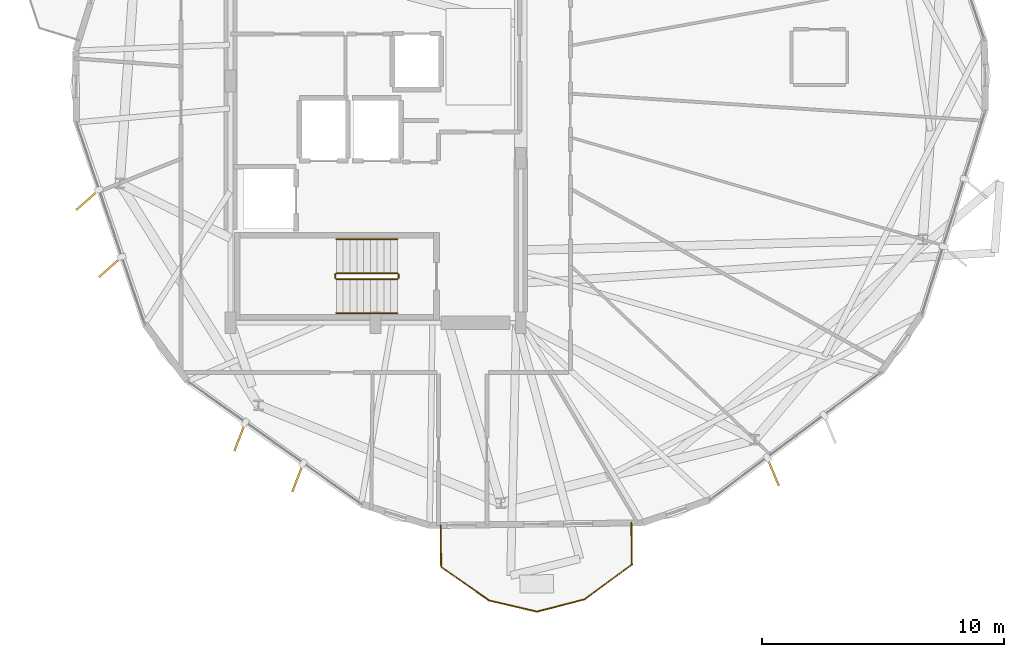
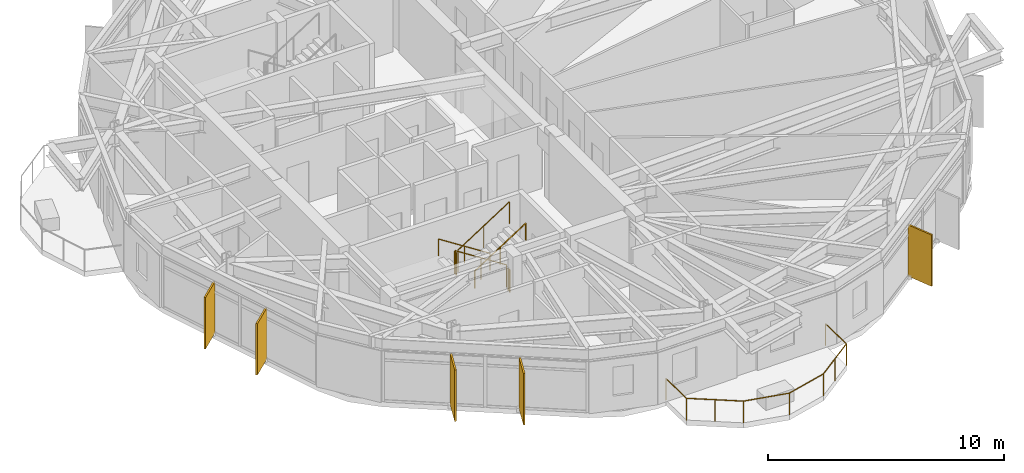
# One storey, part 25 of 27: 7 railings, 5 shading devices.
"""IFC4 building model written with IfcOpenShell, lengths in metres."""

from ifc_helpers import new_model, si_unit, direction, frame, origin, origin_2d, place, context, subcontext, project, spatial, rectangle, circle, extrude, material, layer, layer_set, type_object, element, save


model = new_model("IFC4")

# Units and contexts
model_context = context("Model", 3, precision=1e-05, world=origin(), true_north=direction((0.0, 1.0)))
body_context = subcontext(model_context, "Body", "Model", "MODEL_VIEW")
ifc_project = project(units=[si_unit("LENGTHUNIT", "METRE"), si_unit("AREAUNIT", "SQUARE_METRE"), si_unit("VOLUMEUNIT", "CUBIC_METRE"), si_unit("PLANEANGLEUNIT", "RADIAN"), si_unit("MASSUNIT", "GRAM", prefix="KILO")], contexts=[model_context])

# Site, building, storey
site_placement = place(None, origin())
site = spatial("IfcSite", under=ifc_project, at=site_placement, CompositionType="ELEMENT")
building_placement = place(site_placement, origin())
building = spatial("IfcBuilding", under=site, at=building_placement, Name="Soratama Intermodal Tower", CompositionType="ELEMENT")
storey_placement = place(building_placement, frame((0.0, 0.0, 167.800048828125)))
storey = spatial("IfcBuildingStorey", under=building, at=storey_placement, Name="L41", CompositionType="ELEMENT", Elevation=167.800048828125)

# Railings
ifc_material_1 = material(Name="Laminated glass and stainless steel balustrade", Category="steel")
railing_type_1 = type_object("IfcRailingType", Name="RL-BAL-1150", PredefinedType="BALUSTRADE", material=ifc_material_1)
railing_1_placement = place(storey_placement, frame((49.17578125, 6.721923828125, 0.0)))
element("IfcRailing", 1, at=railing_1_placement, inside=storey, type_object=railing_type_1, Name="L41 Balcony Balustrade 3", PredefinedType="BALUSTRADE", context=body_context, shape_type="SweptSolid", body=[
    extrude(circle(Radius=0.02392578125, at=origin_2d()), frame((0.0, 0.0, 1.1259765625), z_axis=(0.01263385816, -0.999920189629, 0.0), x_axis=(0.999920189629, 0.01263385816, 0.0)), (0.0, 0.0, 1.0), 1.719970703125),
    extrude(circle(Radius=0.02392578125, at=origin_2d()), frame((0.021728515625, -1.7197265625, 1.1259765625), z_axis=(-0.805182180054, -0.59302753471, 0.0), x_axis=(0.59302753471, -0.805182180054, 0.0)), (0.0, 0.0, 1.0), 2.42822265625),
    extrude(circle(Radius=0.02392578125, at=origin_2d()), frame((-1.933349609375, -3.15966796875, 1.1259765625), z_axis=(-0.968035813153, -0.250812010186, 0.0), x_axis=(0.250812010186, -0.968035813153, 0.0)), (0.0, 0.0, 1.0), 2.031494140625),
    extrude(circle(Radius=0.02392578125, at=origin_2d()), frame((-3.89990234375, -3.669189453125, 1.1259765625), z_axis=(-0.974037612376, 0.226386240034, 0.0), x_axis=(-0.226386240034, -0.974037612376, 0.0)), (0.0, 0.0, 1.0), 2.03173828125),
    extrude(circle(Radius=0.02392578125, at=origin_2d()), frame((-5.87890625, -3.209228515625, 1.1259765625), z_axis=(-0.81980310967, 0.572645493631, 0.0), x_axis=(-0.572645493631, -0.81980310967, 0.0)), (0.0, 0.0, 1.0), 2.427978515625),
    extrude(circle(Radius=0.02392578125, at=origin_2d()), frame((-7.869384765625, -1.81884765625, 1.1259765625), z_axis=(-0.012491926975, 0.999921972836, 0.0), x_axis=(-0.999921972836, -0.012491926975, 0.0)), (0.0, 0.0, 1.0), 1.719970703125),
    extrude(circle(Radius=0.02099609375, at=origin_2d()), origin(), (0.0, 0.0, 1.0), 1.101806640625),
    extrude(circle(Radius=0.02099609375, at=origin_2d()), frame((0.021728515625, -1.7197265625, 0.0)), (0.0, 0.0, 1.0), 1.101806640625),
    extrude(circle(Radius=0.02099609375, at=origin_2d()), frame((-0.955810546875, -2.439697265625, 0.0)), (0.0, 0.0, 1.0), 1.101806640625),
    extrude(circle(Radius=0.02099609375, at=origin_2d()), frame((-1.933349609375, -3.15966796875, 0.0)), (0.0, 0.0, 1.0), 1.101806640625),
    extrude(circle(Radius=0.02099609375, at=origin_2d()), frame((-3.89990234375, -3.669189453125, 0.0)), (0.0, 0.0, 1.0), 1.101806640625),
    extrude(circle(Radius=0.02099609375, at=origin_2d()), frame((-5.87890625, -3.209228515625, 0.0)), (0.0, 0.0, 1.0), 1.101806640625),
    extrude(circle(Radius=0.02099609375, at=origin_2d()), frame((-6.8740234375, -2.51416015625, 0.0)), (0.0, 0.0, 1.0), 1.101806640625),
    extrude(circle(Radius=0.02099609375, at=origin_2d()), frame((-7.869384765625, -1.81884765625, 0.0)), (0.0, 0.0, 1.0), 1.101806640625),
    extrude(circle(Radius=0.02099609375, at=origin_2d()), frame((-7.890869140625, -0.09912109375, 0.0)), (0.0, 0.0, 1.0), 1.101806640625),
])
ifc_material_2 = material(Name="Painted steel stair guardrail", Category="steel")
railing_type_2 = type_object("IfcRailingType", Name="RL-STAIR-GUARD", PredefinedType="GUARDRAIL", material=ifc_material_2)
railing_2_placement = place(storey_placement, frame((39.5, 17.050048828125, 0.179931640625)))
element("IfcRailing", 2, at=railing_2_placement, inside=storey, type_object=railing_type_2, Name="L41 ST-1 stair guard 1", PredefinedType="GUARDRAIL", context=body_context, shape_type="SweptSolid", body=[
    extrude(circle(Radius=0.02392578125, at=origin_2d()), frame((0.0, 0.0, 1.1259765625), z_axis=(-0.841162588446, 0.0, 0.540782303519), x_axis=(0.0, -1.0, 0.0)), (0.0, 0.0, 1.0), 2.995849609375),
    extrude(circle(Radius=0.02099609375, at=origin_2d()), origin(), (0.0, 0.0, 1.0), 1.101806640625),
    extrude(circle(Radius=0.02099609375, at=origin_2d()), frame((-1.260009765625, 0.0, 0.81005859375)), (0.0, 0.0, 1.0), 1.101806640625),
    extrude(circle(Radius=0.02099609375, at=origin_2d()), frame((-2.52001953125, 0.0, 1.6201171875)), (0.0, 0.0, 1.0), 1.101806640625),
])
railing_3_placement = place(storey_placement, frame((36.929931640625, 17.0, 1.800048828125)))
element("IfcRailing", 3, at=railing_3_placement, inside=storey, type_object=railing_type_2, Name="L41 ST-1 stair guard 2", PredefinedType="GUARDRAIL", context=body_context, shape_type="SweptSolid", body=[
    extrude(circle(Radius=0.02392578125, at=origin_2d()), frame((0.0, 0.0, 1.1259765625), z_axis=(0.0, -1.0, 0.0), x_axis=(1.0, 0.0, 0.0)), (0.0, 0.0, 1.0), 0.14990234375),
    extrude(circle(Radius=0.02099609375, at=origin_2d()), origin(), (0.0, 0.0, 1.0), 1.101806640625),
    extrude(circle(Radius=0.02099609375, at=origin_2d()), frame((0.0, -0.14990234375, 0.0)), (0.0, 0.0, 1.0), 1.101806640625),
])
railing_4_placement = place(storey_placement, frame((36.97998046875, 16.800048828125, 1.97998046875)))
element("IfcRailing", 4, at=railing_4_placement, inside=storey, type_object=railing_type_2, Name="L41 ST-1 stair guard 3", PredefinedType="GUARDRAIL", context=body_context, shape_type="SweptSolid", body=[
    extrude(circle(Radius=0.02392578125, at=origin_2d()), frame((0.0, 0.0, 1.1259765625), z_axis=(0.841199657755, 0.0, 0.540724639528), x_axis=(0.0, 1.0, 0.0)), (0.0, 0.0, 1.0), 2.995849609375),
    extrude(circle(Radius=0.02099609375, at=origin_2d()), origin(), (0.0, 0.0, 1.0), 1.101806640625),
    extrude(circle(Radius=0.02099609375, at=origin_2d()), frame((1.260009765625, 0.0, 0.81005859375)), (0.0, 0.0, 1.0), 1.101806640625),
    extrude(circle(Radius=0.02099609375, at=origin_2d()), frame((2.52001953125, 0.0, 1.619873046875)), (0.0, 0.0, 1.0), 1.101806640625),
])
railing_5_placement = place(storey_placement, frame((39.550048828125, 17.0, 0.0)))
element("IfcRailing", 5, at=railing_5_placement, inside=storey, type_object=railing_type_2, Name="L41 ST-1 stair guard 4", PredefinedType="GUARDRAIL", context=body_context, shape_type="SweptSolid", body=[
    extrude(circle(Radius=0.02392578125, at=origin_2d()), frame((0.0, 0.0, 1.1259765625), z_axis=(0.0, -1.0, 0.0), x_axis=(1.0, 0.0, 0.0)), (0.0, 0.0, 1.0), 0.14990234375),
    extrude(circle(Radius=0.02099609375, at=origin_2d()), origin(), (0.0, 0.0, 1.0), 1.101806640625),
    extrude(circle(Radius=0.02099609375, at=origin_2d()), frame((0.0, -0.14990234375, 0.0)), (0.0, 0.0, 1.0), 1.101806640625),
])
ifc_material_3 = material(Name="Brushed stainless steel handrail", Category="steel")
railing_type_3 = type_object("IfcRailingType", Name="RL-STAIR-HAND", PredefinedType="HANDRAIL", material=ifc_material_3)
railing_6_placement = place(storey_placement, frame((39.5, 18.449951171875, 0.179931640625)))
element("IfcRailing", 6, at=railing_6_placement, inside=storey, type_object=railing_type_3, Name="L41 ST-1 stair handrail 1", PredefinedType="HANDRAIL", context=body_context, shape_type="SweptSolid", body=[
    extrude(circle(Radius=0.02392578125, at=origin_2d()), frame((0.0, 0.0, 0.8759765625), z_axis=(-0.841162588446, 0.0, 0.540782303519), x_axis=(0.0, -1.0, 0.0)), (0.0, 0.0, 1.0), 2.995849609375),
    extrude(circle(Radius=0.02099609375, at=origin_2d()), origin(), (0.0, 0.0, 1.0), 0.851806640625),
    extrude(circle(Radius=0.02099609375, at=origin_2d()), frame((-1.260009765625, 0.0, 0.81005859375)), (0.0, 0.0, 1.0), 0.851806640625),
    extrude(circle(Radius=0.02099609375, at=origin_2d()), frame((-2.52001953125, 0.0, 1.6201171875)), (0.0, 0.0, 1.0), 0.851806640625),
])
railing_7_placement = place(storey_placement, frame((36.97998046875, 15.39990234375, 1.97998046875)))
element("IfcRailing", 7, at=railing_7_placement, inside=storey, type_object=railing_type_3, Name="L41 ST-1 stair handrail 2", PredefinedType="HANDRAIL", context=body_context, shape_type="SweptSolid", body=[
    extrude(circle(Radius=0.02392578125, at=origin_2d()), frame((0.0, 0.0, 0.8759765625), z_axis=(0.841199657755, 0.0, 0.540724639528), x_axis=(0.0, 1.0, 0.0)), (0.0, 0.0, 1.0), 2.995849609375),
    extrude(circle(Radius=0.02099609375, at=origin_2d()), origin(), (0.0, 0.0, 1.0), 0.851806640625),
    extrude(circle(Radius=0.02099609375, at=origin_2d()), frame((1.260009765625, 0.0, 0.81005859375)), (0.0, 0.0, 1.0), 0.851806640625),
    extrude(circle(Radius=0.02099609375, at=origin_2d()), frame((2.52001953125, 0.0, 1.619873046875)), (0.0, 0.0, 1.0), 0.851806640625),
])

# Shading devices
ifc_material_4 = material(Name="Champagne anodised aluminium solar fin", Category="aluminium")
ifc_layer = layer(ifc_material_4, 0.080078125)
ifc_layer_set = layer_set([ifc_layer], Name="Champagne anodised aluminium solar fin")
shading_device_type = type_object("IfcShadingDeviceType", Name="SH-FIN-1250", PredefinedType="USERDEFINED", material=ifc_layer_set)
for number, where, z_axis, x_axis, name in (
    (8, (26.6875, 20.077392578125, 0.02001953125), (0.0, 0.0, 1.0), (-0.748377190605, -0.66327338299, 0.0), "L41 Solar Fin F05-1"),
    (9, (27.628173828125, 17.3017578125, 0.02001953125), (0.0, 0.0, 1.0), (-0.748377190605, -0.66327338299, 0.0), "L41 Solar Fin F05-2"),
    (10, (32.984619140625, 10.281982421875, 0.02001953125), (0.0, 0.0, 1.0), (-0.361136356933, -0.932513019588, 0.0), "L41 Solar Fin F06-1"),
    (11, (35.376953125, 8.589599609375, 0.02001953125), (0.0, 0.0, 1.0), (-0.361136356933, -0.932513019588, 0.0), "L41 Solar Fin F06-2"),
    (12, (55.032470703125, 8.83642578125, 0.02001953125), (0.0, 0.0, 1.0), (0.384456447386, -0.923143130865, 0.0), "L41 Solar Fin F08-1"),
):
    element("IfcShadingDevice", number, at=place(storey_placement, frame(where, z_axis=z_axis, x_axis=x_axis)), inside=storey, type_object=shading_device_type, Name=name, ObjectType="FIN", PredefinedType="USERDEFINED", context=body_context, shape_type="SweptSolid", body=[
        extrude(rectangle(XDim=1.25, YDim=0.080078125, at=origin_2d()), origin(), (0.0, 0.0, 1.0), 2.658935546875),
    ])

save(model, "model.ifc")
